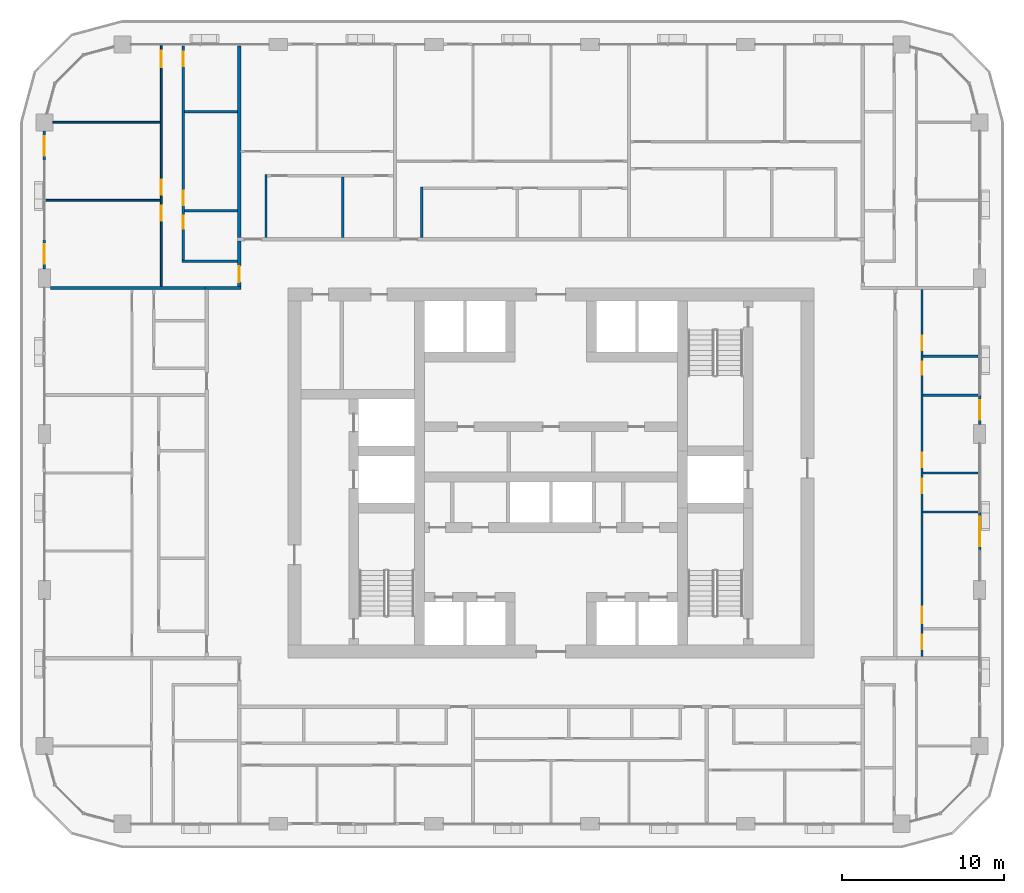
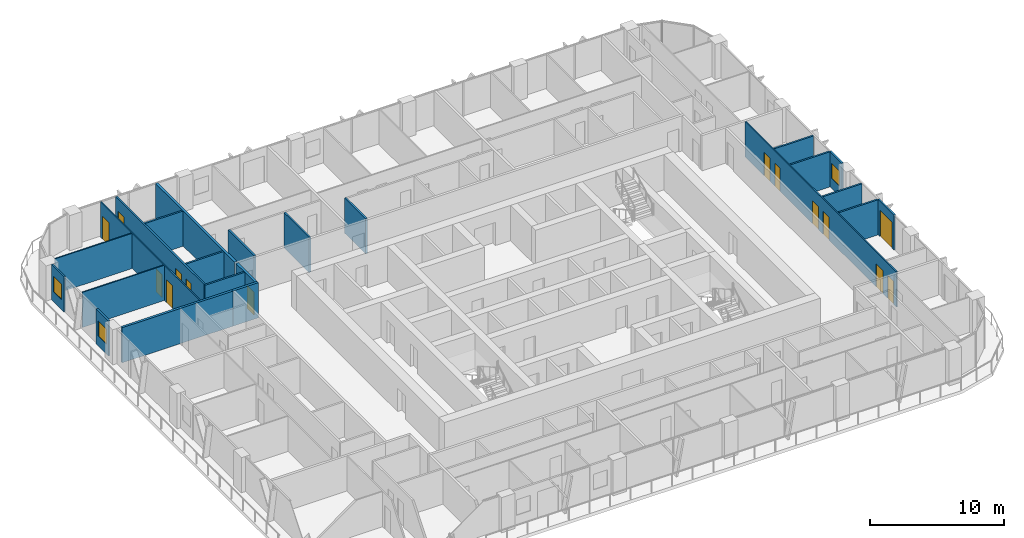
# One storey, part 13 of 23: 23 walls, 14 doors, 3 windows, 17 openings.
"""IFC4 building model written with IfcOpenShell, lengths in metres."""

from ifc_helpers import new_model, si_unit, direction, frame, frame_2d, origin, place, context, subcontext, project, spatial, rectangle, extrude, material, layer, layer_set, type_object, element, fill, save


model = new_model("IFC4")

# Units and contexts
model_context = context("Model", 3, precision=1e-05, world=origin(), true_north=direction((0.0, 1.0)))
body_context = subcontext(model_context, "Body", "Model", "MODEL_VIEW")
ifc_project = project(units=[si_unit("LENGTHUNIT", "METRE"), si_unit("AREAUNIT", "SQUARE_METRE"), si_unit("VOLUMEUNIT", "CUBIC_METRE"), si_unit("PLANEANGLEUNIT", "RADIAN"), si_unit("MASSUNIT", "GRAM", prefix="KILO")], contexts=[model_context])

# Site, building, storey
site_placement = place(None, origin())
site = spatial("IfcSite", under=ifc_project, at=site_placement, CompositionType="ELEMENT")
building_placement = place(site_placement, origin())
building = spatial("IfcBuilding", under=site, at=building_placement, Name="Madar Terraces", CompositionType="ELEMENT")
storey_placement = place(building_placement, frame((0.0, 0.0, 133.10009765625)))
storey = spatial("IfcBuildingStorey", under=building, at=storey_placement, Name="L34", CompositionType="ELEMENT", Elevation=133.10009765625)

# Wall, opening, door
ifc_material_1 = material(Name="Aluminium composite panel, black, over insulated backing", Category="aluminium")
ifc_layer_1 = layer(ifc_material_1, 0.14990234375)
ifc_layer_set_1 = layer_set([ifc_layer_1], Name="Facade bay panel 150")
wall_type_1 = type_object("IfcWallType", Name="Facade bay panel 150", PredefinedType="SOLIDWALL", material=ifc_layer_set_1)
wall_1_placement = place(storey_placement, frame((57.60009765625, 21.60009765625, 0.0), z_axis=(0.0, 0.0, 1.0), x_axis=(0.0, 1.0, 0.0)))
wall_1 = element("IfcWall", 1, at=wall_1_placement, inside=storey, type_object=wall_type_1, Name="Facade bay panel", PredefinedType="SOLIDWALL", context=body_context, shape_type="SweptSolid", body=[
    extrude(rectangle(XDim=2.39990234375, YDim=0.14990234375, at=frame_2d((1.199951171875, 0.0))), origin(), (0.0, 0.0, 1.0), 3.199951171875),
])
opening_1_placement = place(wall_1_placement, frame((0.300048828125, 0.0, 0.0)))
opening_1 = element("IfcOpeningElement", 2, at=opening_1_placement, cuts=wall_1, Name="Opening ED1", PredefinedType="OPENING", context=body_context, shape_type="SweptSolid", body=[
    extrude(rectangle(XDim=1.800048828125, YDim=2.39990234375, at=frame_2d((0.89990234375, 1.199951171875))), frame((0.0, 0.0849609375, 0.0), z_axis=(0.0, -1.0, 0.0), x_axis=(1.0, 0.0, 0.0)), (0.0, 0.0, 1.0), 0.169921875),
])
ifc_material_2 = material(Name="Glass, clear, with black aluminium frame", Category="aluminium")
door_type_1 = type_object("IfcDoorType", Name="Balcony and terrace sliding door 1800 x 2400", OperationType="SLIDING_TO_LEFT", PredefinedType="DOOR", material=ifc_material_2)
door_1_placement = place(opening_1_placement, origin())
door_1 = element("IfcDoor", 3, at=door_1_placement, inside=storey, type_object=door_type_1, Name="Balcony door", OperationType="SLIDING_TO_LEFT", OverallHeight=2.39990234375, OverallWidth=1.800048828125, PredefinedType="DOOR", context=body_context, shape_type="SweptSolid", body=[
    extrude(rectangle(XDim=1.800048828125, YDim=2.39990234375, at=frame_2d((0.89990234375, 1.199951171875))), frame((0.0, 0.02490234375, 0.0), z_axis=(0.0, -1.0, 0.0), x_axis=(1.0, 0.0, 0.0)), (0.0, 0.0, 1.0), 0.050048828125),
])
fill(opening_1, door_1)

# Wall, opening, window
wall_2_placement = place(storey_placement, frame((57.60009765625, 29.375, 0.0), z_axis=(0.0, 0.0, 1.0), x_axis=(0.0, 1.0, 0.0)))
wall_2 = element("IfcWall", 4, at=wall_2_placement, inside=storey, type_object=wall_type_1, Name="Facade bay panel", PredefinedType="SOLIDWALL", context=body_context, shape_type="SweptSolid", body=[
    extrude(rectangle(XDim=1.824951171875, YDim=0.14990234375, at=frame_2d((0.91259765625, 0.0))), origin(), (0.0, 0.0, 1.0), 3.199951171875),
])
opening_2_placement = place(wall_2_placement, frame((0.3125, 0.0, 0.89990234375)))
opening_2 = element("IfcOpeningElement", 5, at=opening_2_placement, cuts=wall_2, Name="Opening W1", PredefinedType="OPENING", context=body_context, shape_type="SweptSolid", body=[
    extrude(rectangle(XDim=1.199951171875, YDim=1.39990234375, at=frame_2d((0.60009765625, 0.699951171875))), frame((0.0, 0.0849609375, 0.0), z_axis=(0.0, -1.0, 0.0), x_axis=(1.0, 0.0, 0.0)), (0.0, 0.0, 1.0), 0.169921875),
])
ifc_material_3 = material(Name="Glass, clear, with black aluminium frame", Category="aluminium")
window_type = type_object("IfcWindowType", Name="Vent window 1200 x 1400", PartitioningType="SINGLE_PANEL", PredefinedType="WINDOW", material=ifc_material_3)
window_1_placement = place(opening_2_placement, origin())
window_1 = element("IfcWindow", 6, at=window_1_placement, inside=storey, type_object=window_type, Name="Operable vent window", OverallHeight=1.39990234375, OverallWidth=1.199951171875, PartitioningType="SINGLE_PANEL", PredefinedType="WINDOW", context=body_context, shape_type="SweptSolid", body=[
    extrude(rectangle(XDim=1.199951171875, YDim=1.39990234375, at=frame_2d((0.60009765625, 0.699951171875))), frame((0.0, 0.030029296875, 0.0), z_axis=(0.0, -1.0, 0.0), x_axis=(1.0, 0.0, 0.0)), (0.0, 0.0, 1.0), 0.06005859375),
])
fill(opening_2, window_1)

wall_3_placement = place(storey_placement, frame((0.0, 47.47509765625, 0.0), z_axis=(0.0, 0.0, 1.0), x_axis=(0.0, -1.0, 0.0)))
wall_3 = element("IfcWall", 7, at=wall_3_placement, inside=storey, type_object=wall_type_1, Name="Facade bay panel", PredefinedType="SOLIDWALL", context=body_context, shape_type="SweptSolid", body=[
    extrude(rectangle(XDim=1.875, YDim=0.14990234375, at=frame_2d((0.9375, 0.0))), origin(), (0.0, 0.0, 1.0), 3.199951171875),
])
opening_3_placement = place(wall_3_placement, frame((0.33740234375, 0.0, 0.89990234375)))
opening_3 = element("IfcOpeningElement", 8, at=opening_3_placement, cuts=wall_3, Name="Opening W1", PredefinedType="OPENING", context=body_context, shape_type="SweptSolid", body=[
    extrude(rectangle(XDim=1.199951171875, YDim=1.39990234375, at=frame_2d((0.60009765625, 0.699951171875))), frame((0.0, 0.0849609375, 0.0), z_axis=(0.0, -1.0, 0.0), x_axis=(1.0, 0.0, 0.0)), (0.0, 0.0, 1.0), 0.169921875),
])
window_2_placement = place(opening_3_placement, origin())
window_2 = element("IfcWindow", 9, at=window_2_placement, inside=storey, type_object=window_type, Name="Operable vent window", OverallHeight=1.39990234375, OverallWidth=1.199951171875, PartitioningType="SINGLE_PANEL", PredefinedType="WINDOW", context=body_context, shape_type="SweptSolid", body=[
    extrude(rectangle(XDim=1.199951171875, YDim=1.39990234375, at=frame_2d((0.60009765625, 0.699951171875))), frame((0.0, 0.030029296875, 0.0), z_axis=(0.0, -1.0, 0.0), x_axis=(1.0, 0.0, 0.0)), (0.0, 0.0, 1.0), 0.06005859375),
])
fill(opening_3, window_2)

wall_4_placement = place(storey_placement, frame((0.0, 40.800048828125, 0.0), z_axis=(0.0, 0.0, 1.0), x_axis=(0.0, -1.0, 0.0)))
wall_4 = element("IfcWall", 10, at=wall_4_placement, inside=storey, type_object=wall_type_1, Name="Facade bay panel", PredefinedType="SOLIDWALL", context=body_context, shape_type="SweptSolid", body=[
    extrude(rectangle(XDim=1.824951171875, YDim=0.14990234375, at=frame_2d((0.91259765625, 0.0))), origin(), (0.0, 0.0, 1.0), 3.199951171875),
])
opening_4_placement = place(wall_4_placement, frame((0.3125, 0.0, 0.89990234375)))
opening_4 = element("IfcOpeningElement", 11, at=opening_4_placement, cuts=wall_4, Name="Opening W1", PredefinedType="OPENING", context=body_context, shape_type="SweptSolid", body=[
    extrude(rectangle(XDim=1.199951171875, YDim=1.39990234375, at=frame_2d((0.60009765625, 0.699951171875))), frame((0.0, 0.0849609375, 0.0), z_axis=(0.0, -1.0, 0.0), x_axis=(1.0, 0.0, 0.0)), (0.0, 0.0, 1.0), 0.169921875),
])
window_3_placement = place(opening_4_placement, origin())
window_3 = element("IfcWindow", 12, at=window_3_placement, inside=storey, type_object=window_type, Name="Operable vent window", OverallHeight=1.39990234375, OverallWidth=1.199951171875, PartitioningType="SINGLE_PANEL", PredefinedType="WINDOW", context=body_context, shape_type="SweptSolid", body=[
    extrude(rectangle(XDim=1.199951171875, YDim=1.39990234375, at=frame_2d((0.60009765625, 0.699951171875))), frame((0.0, 0.030029296875, 0.0), z_axis=(0.0, -1.0, 0.0), x_axis=(1.0, 0.0, 0.0)), (0.0, 0.0, 1.0), 0.06005859375),
])
fill(opening_4, window_3)

# Wall, openings, doors
ifc_material_4 = material(Name="Gypsum board on steel studs", Category="steel")
ifc_layer_2 = layer(ifc_material_4, 0.10009765625)
ifc_layer_set_2 = layer_set([ifc_layer_2], Name="Flat partition 100")
wall_type_2 = type_object("IfcWallType", Name="Flat partition 100", PredefinedType="PARTITIONING", material=ifc_layer_set_2)
wall_5_placement = place(storey_placement, frame((54.050048828125, 37.699951171875, 0.0), z_axis=(0.0, 0.0, 1.0), x_axis=(0.0, -1.0, 0.0)))
wall_5 = element("IfcWall", 13, at=wall_5_placement, inside=storey, type_object=wall_type_2, Name="Flat partition 100", PredefinedType="PARTITIONING", context=body_context, shape_type="SweptSolid", body=[
    extrude(rectangle(XDim=22.599853515625, YDim=0.10009765625, at=frame_2d((11.2998046875, 0.0))), origin(), (0.0, 0.0, 1.0), 3.199951171875),
])
opening_5_placement = place(wall_5_placement, frame((2.85009765625, 0.0, 0.0)))
opening_5 = element("IfcOpeningElement", 14, at=opening_5_placement, cuts=wall_5, Name="Opening D2", PredefinedType="OPENING", context=body_context, shape_type="SweptSolid", body=[
    extrude(rectangle(XDim=0.89990234375, YDim=2.10009765625, at=frame_2d((0.449951171875, 1.050048828125))), frame((0.0, 0.06005859375, 0.0), z_axis=(0.0, -1.0, 0.0), x_axis=(1.0, 0.0, 0.0)), (0.0, 0.0, 1.0), 0.1201171875),
])
opening_6_placement = place(wall_5_placement, frame((4.449951171875, 0.0, 0.0)))
opening_6 = element("IfcOpeningElement", 15, at=opening_6_placement, cuts=wall_5, Name="Opening D4", PredefinedType="OPENING", context=body_context, shape_type="SweptSolid", body=[
    extrude(rectangle(XDim=0.800048828125, YDim=2.10009765625, at=frame_2d((0.39990234375, 1.050048828125))), frame((0.0, 0.06005859375, 0.0), z_axis=(0.0, -1.0, 0.0), x_axis=(1.0, 0.0, 0.0)), (0.0, 0.0, 1.0), 0.1201171875),
])
opening_7_placement = place(wall_5_placement, frame((10.050048828125, 0.0, 0.0)))
opening_7 = element("IfcOpeningElement", 16, at=opening_7_placement, cuts=wall_5, Name="Opening D2", PredefinedType="OPENING", context=body_context, shape_type="SweptSolid", body=[
    extrude(rectangle(XDim=0.89990234375, YDim=2.10009765625, at=frame_2d((0.449951171875, 1.050048828125))), frame((0.0, 0.06005859375, 0.0), z_axis=(0.0, -1.0, 0.0), x_axis=(1.0, 0.0, 0.0)), (0.0, 0.0, 1.0), 0.1201171875),
])
opening_8_placement = place(wall_5_placement, frame((11.64990234375, 0.0, 0.0)))
opening_8 = element("IfcOpeningElement", 17, at=opening_8_placement, cuts=wall_5, Name="Opening D5", PredefinedType="OPENING", context=body_context, shape_type="SweptSolid", body=[
    extrude(rectangle(XDim=0.89990234375, YDim=2.10009765625, at=frame_2d((0.449951171875, 1.050048828125))), frame((0.0, 0.06005859375, 0.0), z_axis=(0.0, -1.0, 0.0), x_axis=(1.0, 0.0, 0.0)), (0.0, 0.0, 1.0), 0.1201171875),
])
opening_9_placement = place(wall_5_placement, frame((19.550048828125, 0.0, 0.0)))
opening_9 = element("IfcOpeningElement", 18, at=opening_9_placement, cuts=wall_5, Name="Opening D3", PredefinedType="OPENING", context=body_context, shape_type="SweptSolid", body=[
    extrude(rectangle(XDim=1.0, YDim=2.10009765625, at=frame_2d((0.5, 1.050048828125))), frame((0.0, 0.06005859375, 0.0), z_axis=(0.0, -1.0, 0.0), x_axis=(1.0, 0.0, 0.0)), (0.0, 0.0, 1.0), 0.1201171875),
])
opening_10_placement = place(wall_5_placement, frame((21.25, 0.0, 0.0)))
opening_10 = element("IfcOpeningElement", 19, at=opening_10_placement, cuts=wall_5, Name="Opening D2", PredefinedType="OPENING", context=body_context, shape_type="SweptSolid", body=[
    extrude(rectangle(XDim=0.89990234375, YDim=2.10009765625, at=frame_2d((0.449951171875, 1.050048828125))), frame((0.0, 0.06005859375, 0.0), z_axis=(0.0, -1.0, 0.0), x_axis=(1.0, 0.0, 0.0)), (0.0, 0.0, 1.0), 0.1201171875),
])
ifc_material_5 = material(Name="Timber door leaf", Category="wood")
door_type_2 = type_object("IfcDoorType", Name="Flat accessible bathroom door 900", OperationType="NOTDEFINED", PredefinedType="DOOR", material=ifc_material_5)
door_2_placement = place(opening_8_placement, origin())
door_2 = element("IfcDoor", 20, at=door_2_placement, inside=storey, type_object=door_type_2, Name="Flat accessible bathroom door 900", OperationType="SINGLE_SWING_LEFT", OverallHeight=2.10009765625, OverallWidth=0.89990234375, PredefinedType="DOOR", context=body_context, shape_type="SweptSolid", body=[
    extrude(rectangle(XDim=0.89990234375, YDim=2.10009765625, at=frame_2d((0.449951171875, 1.050048828125))), frame((0.0, 0.02490234375, 0.0), z_axis=(0.0, -1.0, 0.0), x_axis=(1.0, 0.0, 0.0)), (0.0, 0.0, 1.0), 0.050048828125),
])
fill(opening_8, door_2)
ifc_material_6 = material(Name="Timber door leaf", Category="wood")
door_type_3 = type_object("IfcDoorType", Name="Flat bathroom door 800", OperationType="NOTDEFINED", PredefinedType="DOOR", material=ifc_material_6)
door_3_placement = place(opening_6_placement, origin())
door_3 = element("IfcDoor", 21, at=door_3_placement, inside=storey, type_object=door_type_3, Name="Flat bathroom door 800", OperationType="SINGLE_SWING_LEFT", OverallHeight=2.10009765625, OverallWidth=0.800048828125, PredefinedType="DOOR", context=body_context, shape_type="SweptSolid", body=[
    extrude(rectangle(XDim=0.800048828125, YDim=2.10009765625, at=frame_2d((0.39990234375, 1.050048828125))), frame((0.0, 0.02490234375, 0.0), z_axis=(0.0, -1.0, 0.0), x_axis=(1.0, 0.0, 0.0)), (0.0, 0.0, 1.0), 0.050048828125),
])
fill(opening_6, door_3)
ifc_material_7 = material(Name="Timber door leaf", Category="wood")
door_type_4 = type_object("IfcDoorType", Name="Flat living room door 1000", OperationType="NOTDEFINED", PredefinedType="DOOR", material=ifc_material_7)
door_4_placement = place(opening_9_placement, origin())
door_4 = element("IfcDoor", 22, at=door_4_placement, inside=storey, type_object=door_type_4, Name="Flat living room door 1000", OperationType="SINGLE_SWING_RIGHT", OverallHeight=2.10009765625, OverallWidth=1.0, PredefinedType="DOOR", context=body_context, shape_type="SweptSolid", body=[
    extrude(rectangle(XDim=1.0, YDim=2.10009765625, at=frame_2d((0.5, 1.050048828125))), frame((0.0, 0.02490234375, 0.0), z_axis=(0.0, -1.0, 0.0), x_axis=(1.0, 0.0, 0.0)), (0.0, 0.0, 1.0), 0.050048828125),
])
fill(opening_9, door_4)
ifc_material_8 = material(Name="Timber door leaf", Category="wood")
door_type_5 = type_object("IfcDoorType", Name="Flat room door 900", OperationType="NOTDEFINED", PredefinedType="DOOR", material=ifc_material_8)
door_5_placement = place(opening_5_placement, origin())
door_5 = element("IfcDoor", 23, at=door_5_placement, inside=storey, type_object=door_type_5, Name="Flat room door 900", OperationType="SINGLE_SWING_RIGHT", OverallHeight=2.10009765625, OverallWidth=0.89990234375, PredefinedType="DOOR", context=body_context, shape_type="SweptSolid", body=[
    extrude(rectangle(XDim=0.89990234375, YDim=2.10009765625, at=frame_2d((0.449951171875, 1.050048828125))), frame((0.0, 0.02490234375, 0.0), z_axis=(0.0, -1.0, 0.0), x_axis=(1.0, 0.0, 0.0)), (0.0, 0.0, 1.0), 0.050048828125),
])
fill(opening_5, door_5)
door_6_placement = place(opening_7_placement, origin())
door_6 = element("IfcDoor", 24, at=door_6_placement, inside=storey, type_object=door_type_5, Name="Flat room door 900", OperationType="SINGLE_SWING_RIGHT", OverallHeight=2.10009765625, OverallWidth=0.89990234375, PredefinedType="DOOR", context=body_context, shape_type="SweptSolid", body=[
    extrude(rectangle(XDim=0.89990234375, YDim=2.10009765625, at=frame_2d((0.449951171875, 1.050048828125))), frame((0.0, 0.02490234375, 0.0), z_axis=(0.0, -1.0, 0.0), x_axis=(1.0, 0.0, 0.0)), (0.0, 0.0, 1.0), 0.050048828125),
])
fill(opening_7, door_6)
door_7_placement = place(opening_10_placement, origin())
door_7 = element("IfcDoor", 25, at=door_7_placement, inside=storey, type_object=door_type_5, Name="Flat room door 900", OperationType="SINGLE_SWING_LEFT", OverallHeight=2.10009765625, OverallWidth=0.89990234375, PredefinedType="DOOR", context=body_context, shape_type="SweptSolid", body=[
    extrude(rectangle(XDim=0.89990234375, YDim=2.10009765625, at=frame_2d((0.449951171875, 1.050048828125))), frame((0.0, 0.02490234375, 0.0), z_axis=(0.0, -1.0, 0.0), x_axis=(1.0, 0.0, 0.0)), (0.0, 0.0, 1.0), 0.050048828125),
])
fill(opening_10, door_7)

# Walls
wall_6_placement = place(storey_placement, frame((7.14990234375, 43.199951171875, 0.0), z_axis=(0.0, 0.0, 1.0), x_axis=(-1.0, 0.0, 0.0)))
element("IfcWall", 26, at=wall_6_placement, inside=storey, type_object=wall_type_2, Name="Flat partition 100", PredefinedType="PARTITIONING", context=body_context, shape_type="SweptSolid", body=[
    extrude(rectangle(XDim=7.0498046875, YDim=0.10009765625, at=frame_2d((3.52490234375, 0.0))), origin(), (0.0, 0.0, 1.0), 3.199951171875),
])
wall_7_placement = place(storey_placement, frame((7.14990234375, 48.0, 0.0), z_axis=(0.0, 0.0, 1.0), x_axis=(-1.0, 0.0, 0.0)))
element("IfcWall", 27, at=wall_7_placement, inside=storey, type_object=wall_type_2, Name="Flat partition 100", PredefinedType="PARTITIONING", context=body_context, shape_type="SweptSolid", body=[
    extrude(rectangle(XDim=6.625, YDim=0.10009765625, at=frame_2d((3.3125, 0.0))), origin(), (0.0, 0.0, 1.0), 3.199951171875),
])

# Wall, openings, doors
wall_8_placement = place(storey_placement, frame((7.199951171875, 37.89990234375, 0.0), z_axis=(0.0, 0.0, 1.0), x_axis=(0.0, 1.0, 0.0)))
wall_8 = element("IfcWall", 28, at=wall_8_placement, inside=storey, type_object=wall_type_2, Name="Flat partition 100", PredefinedType="PARTITIONING", context=body_context, shape_type="SweptSolid", body=[
    extrude(rectangle(XDim=14.800048828125, YDim=0.10009765625, at=frame_2d((7.39990234375, 0.0))), origin(), (0.0, 0.0, 1.0), 3.199951171875),
])
opening_11_placement = place(wall_8_placement, frame((4.050048828125, 0.0, 0.0)))
opening_11 = element("IfcOpeningElement", 29, at=opening_11_placement, cuts=wall_8, Name="Opening D2", PredefinedType="OPENING", context=body_context, shape_type="SweptSolid", body=[
    extrude(rectangle(XDim=0.89990234375, YDim=2.10009765625, at=frame_2d((0.449951171875, 1.050048828125))), frame((0.0, 0.06005859375, 0.0), z_axis=(0.0, -1.0, 0.0), x_axis=(1.0, 0.0, 0.0)), (0.0, 0.0, 1.0), 0.1201171875),
])
opening_12_placement = place(wall_8_placement, frame((5.64990234375, 0.0, 0.0)))
opening_12 = element("IfcOpeningElement", 30, at=opening_12_placement, cuts=wall_8, Name="Opening D2", PredefinedType="OPENING", context=body_context, shape_type="SweptSolid", body=[
    extrude(rectangle(XDim=0.89990234375, YDim=2.10009765625, at=frame_2d((0.449951171875, 1.050048828125))), frame((0.0, 0.06005859375, 0.0), z_axis=(0.0, -1.0, 0.0), x_axis=(1.0, 0.0, 0.0)), (0.0, 0.0, 1.0), 0.1201171875),
])
opening_13_placement = place(wall_8_placement, frame((13.5, 0.0, 0.0)))
opening_13 = element("IfcOpeningElement", 31, at=opening_13_placement, cuts=wall_8, Name="Opening D3", PredefinedType="OPENING", context=body_context, shape_type="SweptSolid", body=[
    extrude(rectangle(XDim=1.0, YDim=2.10009765625, at=frame_2d((0.5, 1.050048828125))), frame((0.0, 0.06005859375, 0.0), z_axis=(0.0, -1.0, 0.0), x_axis=(1.0, 0.0, 0.0)), (0.0, 0.0, 1.0), 0.1201171875),
])
door_8_placement = place(opening_13_placement, origin())
door_8 = element("IfcDoor", 32, at=door_8_placement, inside=storey, type_object=door_type_4, Name="Flat living room door 1000", OperationType="SINGLE_SWING_RIGHT", OverallHeight=2.10009765625, OverallWidth=1.0, PredefinedType="DOOR", context=body_context, shape_type="SweptSolid", body=[
    extrude(rectangle(XDim=1.0, YDim=2.10009765625, at=frame_2d((0.5, 1.050048828125))), frame((0.0, 0.02490234375, 0.0), z_axis=(0.0, -1.0, 0.0), x_axis=(1.0, 0.0, 0.0)), (0.0, 0.0, 1.0), 0.050048828125),
])
fill(opening_13, door_8)
door_9_placement = place(opening_11_placement, origin())
door_9 = element("IfcDoor", 33, at=door_9_placement, inside=storey, type_object=door_type_5, Name="Flat room door 900", OperationType="SINGLE_SWING_RIGHT", OverallHeight=2.10009765625, OverallWidth=0.89990234375, PredefinedType="DOOR", context=body_context, shape_type="SweptSolid", body=[
    extrude(rectangle(XDim=0.89990234375, YDim=2.10009765625, at=frame_2d((0.449951171875, 1.050048828125))), frame((0.0, 0.02490234375, 0.0), z_axis=(0.0, -1.0, 0.0), x_axis=(1.0, 0.0, 0.0)), (0.0, 0.0, 1.0), 0.050048828125),
])
fill(opening_11, door_9)
door_10_placement = place(opening_12_placement, origin())
door_10 = element("IfcDoor", 34, at=door_10_placement, inside=storey, type_object=door_type_5, Name="Flat room door 900", OperationType="SINGLE_SWING_LEFT", OverallHeight=2.10009765625, OverallWidth=0.89990234375, PredefinedType="DOOR", context=body_context, shape_type="SweptSolid", body=[
    extrude(rectangle(XDim=0.89990234375, YDim=2.10009765625, at=frame_2d((0.449951171875, 1.050048828125))), frame((0.0, 0.02490234375, 0.0), z_axis=(0.0, -1.0, 0.0), x_axis=(1.0, 0.0, 0.0)), (0.0, 0.0, 1.0), 0.050048828125),
])
fill(opening_12, door_10)

# Wall, opening, door
ifc_material_9 = material(Name="Lightweight blockwork", Category="masonry")
ifc_layer_3 = layer(ifc_material_9, 0.199951171875)
ifc_layer_set_3 = layer_set([ifc_layer_3], Name="Flat party and entrance wall 200")
wall_type_3 = type_object("IfcWallType", Name="Flat party and entrance wall 200", PredefinedType="PARTITIONING", material=ifc_layer_set_3)
wall_9_placement = place(storey_placement, frame((12.0, 37.89990234375, 0.0), z_axis=(0.0, 0.0, 1.0), x_axis=(0.0, 1.0, 0.0)))
wall_9 = element("IfcWall", 35, at=wall_9_placement, inside=storey, type_object=wall_type_3, Name="Flat party and entrance wall 200", PredefinedType="PARTITIONING", context=body_context, shape_type="SweptSolid", body=[
    extrude(rectangle(XDim=2.800048828125, YDim=0.199951171875, at=frame_2d((1.39990234375, 0.0))), origin(), (0.0, 0.0, 1.0), 3.199951171875),
])
opening_14_placement = place(wall_9_placement, frame((0.25, 0.0, 0.0)))
opening_14 = element("IfcOpeningElement", 36, at=opening_14_placement, cuts=wall_9, Name="Opening D1", PredefinedType="OPENING", context=body_context, shape_type="SweptSolid", body=[
    extrude(rectangle(XDim=1.0, YDim=2.10009765625, at=frame_2d((0.5, 1.050048828125))), frame((0.0, 0.10986328125, 0.0), z_axis=(0.0, -1.0, 0.0), x_axis=(1.0, 0.0, 0.0)), (0.0, 0.0, 1.0), 0.219970703125),
])
ifc_material_10 = material(Name="Timber fire door leaf", Category="wood")
door_type_6 = type_object("IfcDoorType", Name="Flat entrance door 1000 FD30S", OperationType="NOTDEFINED", PredefinedType="DOOR", material=ifc_material_10)
door_11_placement = place(opening_14_placement, origin())
door_11 = element("IfcDoor", 37, at=door_11_placement, inside=storey, type_object=door_type_6, Name="Flat entrance door 1000 FD30S", OperationType="SINGLE_SWING_LEFT", OverallHeight=2.10009765625, OverallWidth=1.0, PredefinedType="DOOR", context=body_context, shape_type="SweptSolid", body=[
    extrude(rectangle(XDim=1.0, YDim=2.10009765625, at=frame_2d((0.5, 1.050048828125))), frame((0.0, 0.02490234375, 0.0), z_axis=(0.0, -1.0, 0.0), x_axis=(1.0, 0.0, 0.0)), (0.0, 0.0, 1.0), 0.050048828125),
])
fill(opening_14, door_11)

# Walls
wall_10_placement = place(storey_placement, frame((12.10009765625, 37.800048828125, 0.0), z_axis=(0.0, 0.0, 1.0), x_axis=(-1.0, 0.0, 0.0)))
element("IfcWall", 38, at=wall_10_placement, inside=storey, type_object=wall_type_3, Name="Flat party and entrance wall 200", PredefinedType="PARTITIONING", context=body_context, shape_type="SweptSolid", body=[
    extrude(rectangle(XDim=2.2001953125, YDim=0.199951171875, at=frame_2d((1.10009765625, 0.0))), origin(), (0.0, 0.0, 1.0), 3.199951171875),
])
wall_11_placement = place(storey_placement, frame((12.0, 52.699951171875, 0.0), z_axis=(0.0, 0.0, 1.0), x_axis=(0.0, -1.0, 0.0)))
element("IfcWall", 39, at=wall_11_placement, inside=storey, type_object=wall_type_3, Name="Flat party and entrance wall 200", PredefinedType="PARTITIONING", context=body_context, shape_type="SweptSolid", body=[
    extrude(rectangle(XDim=11.800048828125, YDim=0.199951171875, at=frame_2d((5.89990234375, 0.0))), origin(), (0.0, 0.0, 1.0), 3.199951171875),
])
wall_12_placement = place(storey_placement, frame((0.375, 37.800048828125, 0.0), z_axis=(0.0, 0.0, 1.0), x_axis=(1.0, 0.0, 0.0)))
element("IfcWall", 40, at=wall_12_placement, inside=storey, type_object=wall_type_3, Name="Flat party and entrance wall 200", PredefinedType="PARTITIONING", context=body_context, shape_type="SweptSolid", body=[
    extrude(rectangle(XDim=9.52490234375, YDim=0.199951171875, at=frame_2d((4.762451171875, 0.0))), origin(), (0.0, 0.0, 1.0), 3.199951171875),
])
ifc_material_11 = material(Name="Lightweight blockwork", Category="masonry")
ifc_layer_4 = layer(ifc_material_11, 0.14990234375)
ifc_layer_set_4 = layer_set([ifc_layer_4], Name="Flat wet-room partition 150")
wall_type_4 = type_object("IfcWallType", Name="Flat wet-room partition 150", PredefinedType="PARTITIONING", material=ifc_layer_set_4)
for number, where, z_axis, x_axis, name in (
    (41, (54.125, 33.60009765625, 0.0), (0.0, 0.0, 1.0), (1.0, 0.0, 0.0), "Flat wet-room partition 150"),
    (42, (54.125, 31.199951171875, 0.0), (0.0, 0.0, 1.0), (1.0, 0.0, 0.0), "Flat wet-room partition 150"),
    (43, (54.125, 26.39990234375, 0.0), (0.0, 0.0, 1.0), (1.0, 0.0, 0.0), "Flat wet-room partition 150"),
    (44, (54.125, 24.0, 0.0), (0.0, 0.0, 1.0), (1.0, 0.0, 0.0), "Flat wet-room partition 150"),
):
    element("IfcWall", number, at=place(storey_placement, frame(where, z_axis=z_axis, x_axis=x_axis)), inside=storey, type_object=wall_type_4, Name=name, PredefinedType="PARTITIONING", context=body_context, shape_type="SweptSolid", body=[
        extrude(rectangle(XDim=3.375, YDim=0.14990234375, at=frame_2d((1.6875, 0.0))), origin(), (0.0, 0.0, 1.0), 3.199951171875),
    ])
wall_13_placement = place(storey_placement, frame((23.25, 40.89990234375, 0.0), z_axis=(0.0, 0.0, 1.0), x_axis=(0.0, 1.0, 0.0)))
element("IfcWall", 45, at=wall_13_placement, inside=storey, type_object=wall_type_4, Name="Flat wet-room partition 150", PredefinedType="PARTITIONING", context=body_context, shape_type="SweptSolid", body=[
    extrude(rectangle(XDim=3.125, YDim=0.14990234375, at=frame_2d((1.5625, 0.0))), origin(), (0.0, 0.0, 1.0), 3.199951171875),
])
wall_14_placement = place(storey_placement, frame((18.389892578125, 40.89990234375, 0.0), z_axis=(0.0, 0.0, 1.0), x_axis=(0.0, 1.0, 0.0)))
element("IfcWall", 46, at=wall_14_placement, inside=storey, type_object=wall_type_4, Name="Flat wet-room partition 150", PredefinedType="PARTITIONING", context=body_context, shape_type="SweptSolid", body=[
    extrude(rectangle(XDim=3.72509765625, YDim=0.14990234375, at=frame_2d((1.862548828125, 0.0))), origin(), (0.0, 0.0, 1.0), 3.199951171875),
])
wall_15_placement = place(storey_placement, frame((13.64990234375, 40.89990234375, 0.0), z_axis=(0.0, 0.0, 1.0), x_axis=(0.0, 1.0, 0.0)))
element("IfcWall", 47, at=wall_15_placement, inside=storey, type_object=wall_type_4, Name="Flat wet-room partition 150", PredefinedType="PARTITIONING", context=body_context, shape_type="SweptSolid", body=[
    extrude(rectangle(XDim=3.875, YDim=0.14990234375, at=frame_2d((1.9375, 0.0))), origin(), (0.0, 0.0, 1.0), 3.199951171875),
])
for number, where, z_axis, x_axis, name in (
    (48, (11.89990234375, 42.5654296875, 0.0), (0.0, 0.0, 1.0), (-1.0, 0.0, 0.0), "Flat wet-room partition 150"),
    (49, (11.89990234375, 48.646240234375, 0.0), (0.0, 0.0, 1.0), (-1.0, 0.0, 0.0), "Flat wet-room partition 150"),
):
    element("IfcWall", number, at=place(storey_placement, frame(where, z_axis=z_axis, x_axis=x_axis)), inside=storey, type_object=wall_type_4, Name=name, PredefinedType="PARTITIONING", context=body_context, shape_type="SweptSolid", body=[
        extrude(rectangle(XDim=3.27490234375, YDim=0.14990234375, at=frame_2d((1.637451171875, 0.0))), origin(), (0.0, 0.0, 1.0), 3.199951171875),
    ])
wall_16_placement = place(storey_placement, frame((11.89990234375, 39.449951171875, 0.0), z_axis=(0.0, 0.0, 1.0), x_axis=(-1.0, 0.0, 0.0)))
element("IfcWall", 50, at=wall_16_placement, inside=storey, type_object=wall_type_4, Name="Flat wet-room partition 150", PredefinedType="PARTITIONING", context=body_context, shape_type="SweptSolid", body=[
    extrude(rectangle(XDim=3.4248046875, YDim=0.14990234375, at=frame_2d((1.71240234375, 0.0))), origin(), (0.0, 0.0, 1.0), 3.199951171875),
])

# Wall, openings, doors
wall_17_placement = place(storey_placement, frame((8.550048828125, 52.699951171875, 0.0), z_axis=(0.0, 0.0, 1.0), x_axis=(0.0, -1.0, 0.0)))
wall_17 = element("IfcWall", 51, at=wall_17_placement, inside=storey, type_object=wall_type_4, Name="Flat wet-room partition 150", PredefinedType="PARTITIONING", context=body_context, shape_type="SweptSolid", body=[
    extrude(rectangle(XDim=13.175048828125, YDim=0.14990234375, at=frame_2d((6.58740234375, 0.0))), origin(), (0.0, 0.0, 1.0), 3.199951171875),
])
opening_15_placement = place(wall_17_placement, frame((10.459716796875, 0.0, 0.0)))
opening_15 = element("IfcOpeningElement", 52, at=opening_15_placement, cuts=wall_17, Name="Opening D4", PredefinedType="OPENING", context=body_context, shape_type="SweptSolid", body=[
    extrude(rectangle(XDim=0.800048828125, YDim=2.10009765625, at=frame_2d((0.39990234375, 1.050048828125))), frame((0.0, 0.0849609375, 0.0), z_axis=(0.0, -1.0, 0.0), x_axis=(1.0, 0.0, 0.0)), (0.0, 0.0, 1.0), 0.169921875),
])
opening_16_placement = place(wall_17_placement, frame((8.90966796875, 0.0, 0.0)))
opening_16 = element("IfcOpeningElement", 53, at=opening_16_placement, cuts=wall_17, Name="Opening D2", PredefinedType="OPENING", context=body_context, shape_type="SweptSolid", body=[
    extrude(rectangle(XDim=0.89990234375, YDim=2.10009765625, at=frame_2d((0.449951171875, 1.050048828125))), frame((0.0, 0.0849609375, 0.0), z_axis=(0.0, -1.0, 0.0), x_axis=(1.0, 0.0, 0.0)), (0.0, 0.0, 1.0), 0.169921875),
])
opening_17_placement = place(wall_17_placement, frame((0.35009765625, 0.0, 0.0)))
opening_17 = element("IfcOpeningElement", 54, at=opening_17_placement, cuts=wall_17, Name="Opening D5", PredefinedType="OPENING", context=body_context, shape_type="SweptSolid", body=[
    extrude(rectangle(XDim=0.89990234375, YDim=2.10009765625, at=frame_2d((0.449951171875, 1.050048828125))), frame((0.0, 0.0849609375, 0.0), z_axis=(0.0, -1.0, 0.0), x_axis=(1.0, 0.0, 0.0)), (0.0, 0.0, 1.0), 0.169921875),
])
door_12_placement = place(opening_17_placement, origin())
door_12 = element("IfcDoor", 55, at=door_12_placement, inside=storey, type_object=door_type_2, Name="Flat accessible bathroom door 900", OperationType="SINGLE_SWING_LEFT", OverallHeight=2.10009765625, OverallWidth=0.89990234375, PredefinedType="DOOR", context=body_context, shape_type="SweptSolid", body=[
    extrude(rectangle(XDim=0.89990234375, YDim=2.10009765625, at=frame_2d((0.449951171875, 1.050048828125))), frame((0.0, 0.02490234375, 0.0), z_axis=(0.0, -1.0, 0.0), x_axis=(1.0, 0.0, 0.0)), (0.0, 0.0, 1.0), 0.050048828125),
])
fill(opening_17, door_12)
door_13_placement = place(opening_15_placement, origin())
door_13 = element("IfcDoor", 56, at=door_13_placement, inside=storey, type_object=door_type_3, Name="Flat bathroom door 800", OperationType="SINGLE_SWING_LEFT", OverallHeight=2.10009765625, OverallWidth=0.800048828125, PredefinedType="DOOR", context=body_context, shape_type="SweptSolid", body=[
    extrude(rectangle(XDim=0.800048828125, YDim=2.10009765625, at=frame_2d((0.39990234375, 1.050048828125))), frame((0.0, 0.02490234375, 0.0), z_axis=(0.0, -1.0, 0.0), x_axis=(1.0, 0.0, 0.0)), (0.0, 0.0, 1.0), 0.050048828125),
])
fill(opening_15, door_13)
door_14_placement = place(opening_16_placement, origin())
door_14 = element("IfcDoor", 57, at=door_14_placement, inside=storey, type_object=door_type_5, Name="Flat room door 900", OperationType="SINGLE_SWING_RIGHT", OverallHeight=2.10009765625, OverallWidth=0.89990234375, PredefinedType="DOOR", context=body_context, shape_type="SweptSolid", body=[
    extrude(rectangle(XDim=0.89990234375, YDim=2.10009765625, at=frame_2d((0.449951171875, 1.050048828125))), frame((0.0, 0.02490234375, 0.0), z_axis=(0.0, -1.0, 0.0), x_axis=(1.0, 0.0, 0.0)), (0.0, 0.0, 1.0), 0.050048828125),
])
fill(opening_16, door_14)

save(model, "model.ifc")
